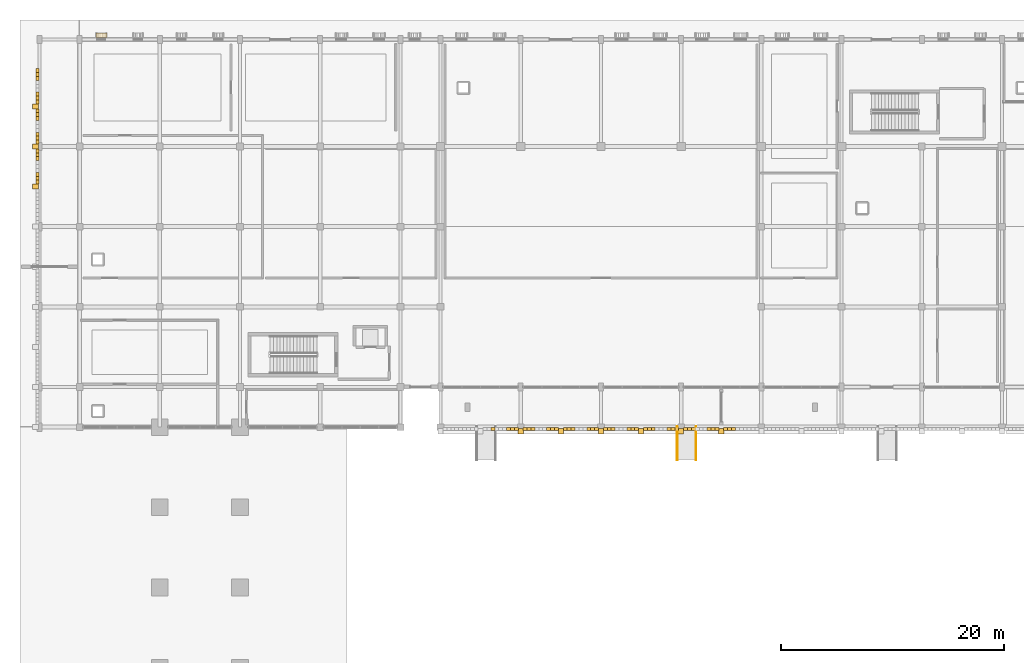
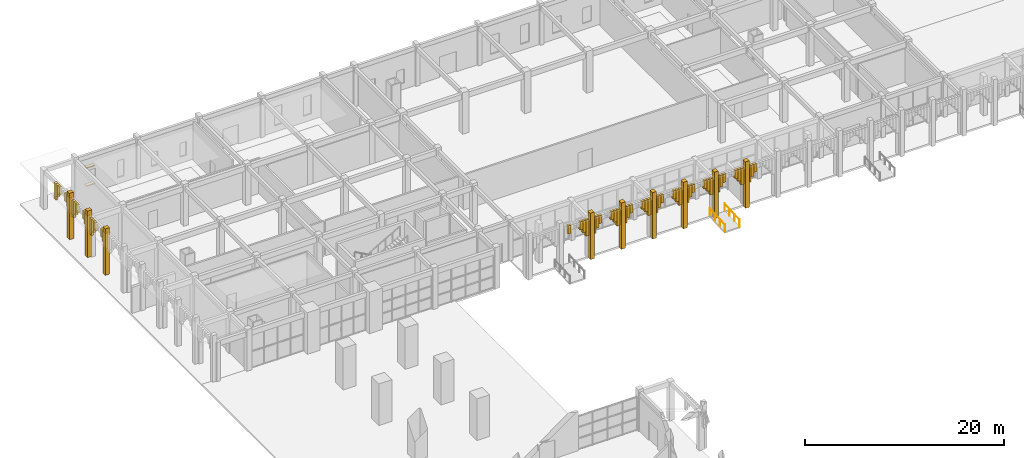
# One storey, part 52 of 72: 66 coverings, 2 railings.
"""IFC4 building model written with IfcOpenShell, lengths in metres."""

import ifcopenshell
import ifcopenshell.guid

model = None  # the IFC model being written
_history = None  # IfcOwnerHistory: only IFC2X3 demands one
_inside = {}  # id of a spatial element -> (the spatial element, [elements in it])
_under = {}  # id of a project, library or spatial element -> (it, [spatial elements below it])
_declared = {}  # id of a project -> (the project, [libraries it declares])
_typed = {}  # id of a type object -> (the type object, [elements of that type])
_made_of = {}  # id of a material, layer set ... -> (it, [elements and type objects made of it])


def new_model(schema):
    """Start an empty IFC model of exactly this schema.

    Asked for "IFC4X3", IfcOpenShell would pick the latest addendum, in which some entities
    have other attributes; the version numbers below select the first issue.
    IFC2X3 requires an IfcOwnerHistory on every rooted entity: one is made here for all.
    """
    global model, _history
    if schema == "IFC4X3":
        model = ifcopenshell.file(schema_version=(4, 3, 0, 0))
    else:
        model = ifcopenshell.file(schema=schema)
    _inside.clear()
    _under.clear()
    _declared.clear()
    _typed.clear()
    _made_of.clear()
    _history = None
    if model.schema == "IFC2X3":
        org = make("IfcOrganization", Name="unknown")
        user = make(
            "IfcPersonAndOrganization",
            ThePerson=make("IfcPerson", FamilyName="unknown"),
            TheOrganization=org,
        )
        app = make(
            "IfcApplication",
            ApplicationDeveloper=org,
            Version="unknown",
            ApplicationFullName="unknown",
            ApplicationIdentifier="unknown",
        )
        _history = make(
            "IfcOwnerHistory",
            OwningUser=user,
            OwningApplication=app,
            ChangeAction="ADDED",
            CreationDate=0,
        )
    return model


def make(cls, **values):
    """One entity of the class cls with the attributes given. An attribute that is None is left unset."""
    return model.create_entity(
        cls, **{name: value for name, value in values.items() if value is not None}
    )


def rooted(cls, **values):
    """An entity with a GlobalId (a new one), such as an element, a storey or a relation."""
    return make(cls, GlobalId=ifcopenshell.guid.new(), OwnerHistory=_history, **values)


def si_unit(unit_type, name, prefix=None):
    """IfcSIUnit, for example si_unit("LENGTHUNIT", "METRE", prefix="MILLI")."""
    return make("IfcSIUnit", UnitType=unit_type, Prefix=prefix, Name=name)


def assignment(units):
    """IfcUnitAssignment: the units of a project."""
    return None if units is None else make("IfcUnitAssignment", Units=units)


def point(xyz):
    """IfcCartesianPoint."""
    return None if xyz is None else make("IfcCartesianPoint", Coordinates=xyz)


def direction(xyz):
    """IfcDirection."""
    return None if xyz is None else make("IfcDirection", DirectionRatios=xyz)


def frame(location, z_axis=None, x_axis=None):
    """IfcAxis2Placement3D, a coordinate frame: its origin and axes. An axis left out is left unset."""
    return make(
        "IfcAxis2Placement3D",
        Location=point(location),
        Axis=direction(z_axis),
        RefDirection=direction(x_axis),
    )


def frame_2d(location, x_axis=None):
    """IfcAxis2Placement2D, a coordinate frame in the plane: its origin and x axis."""
    return make(
        "IfcAxis2Placement2D", Location=point(location), RefDirection=direction(x_axis)
    )


def origin():
    """The frame at (0, 0, 0) with its axes left unset."""
    return frame((0.0, 0.0, 0.0))


def origin_2d():
    """The frame at (0, 0) in the plane with its x axis left unset."""
    return frame_2d((0.0, 0.0))


def place(relative_to, where):
    """IfcLocalPlacement: puts the frame where relative to a parent placement (None: the world)."""
    return make(
        "IfcLocalPlacement", PlacementRelTo=relative_to, RelativePlacement=where
    )


def context(
    kind, dimensions, precision=None, world=None, true_north=None, identifier=None
):
    """IfcGeometricRepresentationContext, for example the 3D "Model" context."""
    return make(
        "IfcGeometricRepresentationContext",
        ContextIdentifier=identifier,
        ContextType=kind,
        CoordinateSpaceDimension=dimensions,
        Precision=precision,
        WorldCoordinateSystem=world,
        TrueNorth=true_north,
    )


def subcontext(parent, identifier, kind, view, scale=None):
    """IfcGeometricRepresentationSubContext, for example "Body" below "Model"."""
    return make(
        "IfcGeometricRepresentationSubContext",
        ContextIdentifier=identifier,
        ContextType=kind,
        ParentContext=parent,
        TargetScale=scale,
        TargetView=view,
    )


def project(units=None, contexts=None):
    """IfcProject with its units and contexts."""
    return rooted(
        "IfcProject",
        Name="project",
        RepresentationContexts=contexts,
        UnitsInContext=assignment(units),
    )


def spatial(cls, under=None, at=None, **own):
    """A site, building, storey or space (cls), placed at a placement, below another one or the project."""
    s = rooted(cls, ObjectPlacement=at, **own)
    if under is not None:
        _under.setdefault(under.id(), (under, []))[1].append(s)
    return s


def profile(cls, at=None, kind="AREA", **sizes):
    """A parametric profile (cls). Its sizes go by their IFC names, for example OverallWidth=200.0."""
    return make(cls, ProfileType=kind, Position=at, **sizes)


def rectangle(**sizes):
    """IfcRectangleProfileDef."""
    return profile("IfcRectangleProfileDef", **sizes)


def circle(**sizes):
    """IfcCircleProfileDef."""
    return profile("IfcCircleProfileDef", **sizes)


def extrude(swept, where, along, depth):
    """IfcExtrudedAreaSolid: the profile swept, set in the frame where, extruded along a direction by depth."""
    return make(
        "IfcExtrudedAreaSolid",
        SweptArea=swept,
        Position=where,
        ExtrudedDirection=direction(along),
        Depth=depth,
    )


def shape(context_of_items, identifier, shape_type, items):
    """IfcShapeRepresentation: the items that make up one representation, for example the "Body"."""
    return make(
        "IfcShapeRepresentation",
        ContextOfItems=context_of_items,
        RepresentationIdentifier=identifier,
        RepresentationType=shape_type,
        Items=items,
    )


def material(Name=None, Category=None):
    """IfcMaterial."""
    return make("IfcMaterial", Name=Name, Category=Category)


def layer(
    of_material, thickness, ventilated=None, Name=None, Category=None, Priority=None
):
    """IfcMaterialLayer: one layer of a wall or slab, of a material (None: an air gap)."""
    return make(
        "IfcMaterialLayer",
        Material=of_material,
        LayerThickness=thickness,
        IsVentilated=ventilated,
        Name=Name,
        Category=Category,
        Priority=Priority,
    )


def layer_set(layers, Name=None):
    """IfcMaterialLayerSet."""
    return make("IfcMaterialLayerSet", MaterialLayers=layers, LayerSetName=Name)


def made_of(thing, what):
    """Note that an element or type object is made of a material, layer set ...; save() writes the relation."""
    if what is not None:
        _made_of.setdefault(what.id(), (what, []))[1].append(thing)
    return thing


def type_object(cls, material=None, **own):
    """A type object (cls), such as IfcWallType, which elements share."""
    return made_of(rooted(cls, **own), material)


def element(
    cls,
    number,
    at=None,
    inside=None,
    cuts=None,
    type_object=None,
    material=None,
    context=None,
    identifier="Body",
    shape_type=None,
    held_by="IfcProductDefinitionShape",
    body=None,
    shapes=None,
    **own,
):
    """One element of the class cls, such as IfcWall. Its Tag is "e" and its number.

    at: its placement. inside: the storey or other place that contains it. cuts: it is an
    opening in that element (IfcRelVoidsElement). A single representation is given by context,
    identifier, shape_type and body (its items); several are given by shapes. held_by: the class
    of the entity that holds the representations. save() writes the other relations.
    """
    e = rooted(cls, Tag="e%d" % number, ObjectPlacement=at, **own)
    if body is not None:
        shapes = [shape(context, identifier, shape_type, body)]
    if shapes is not None:
        e.Representation = make(held_by, Representations=shapes)
    if inside is not None:
        _inside.setdefault(inside.id(), (inside, []))[1].append(e)
    if cuts is not None:
        rooted(
            "IfcRelVoidsElement", RelatingBuildingElement=cuts, RelatedOpeningElement=e
        )
    if type_object is not None:
        _typed.setdefault(type_object.id(), (type_object, []))[1].append(e)
    return made_of(e, material)


def aggregate(whole, parts):
    """IfcRelAggregates: a whole, such as a stair, and the parts it consists of."""
    return rooted("IfcRelAggregates", RelatingObject=whole, RelatedObjects=parts)


def save(model, path):
    """Write the relations noted so far, then the file.

    IfcRelAggregates (storeys below a building ...), IfcRelContainedInSpatialStructure (elements
    in a storey), IfcRelDefinesByType, IfcRelAssociatesMaterial and IfcRelDeclares: one each for
    every whole, place, type object, material and project.
    """
    for whole, parts in _under.values():
        aggregate(whole, parts)
    for where, things in _inside.values():
        rooted(
            "IfcRelContainedInSpatialStructure",
            RelatedElements=things,
            RelatingStructure=where,
        )
    for kind, things in _typed.values():
        rooted("IfcRelDefinesByType", RelatedObjects=things, RelatingType=kind)
    for what, things in _made_of.values():
        rooted("IfcRelAssociatesMaterial", RelatedObjects=things, RelatingMaterial=what)
    for by, libraries in _declared.values():
        rooted("IfcRelDeclares", RelatingContext=by, RelatedDefinitions=libraries)
    model.write(path)


model = new_model("IFC4")

# Units and contexts
model_context = context("Model", 3, precision=1e-05, world=origin(), true_north=direction((0.0, 1.0)))
body_context = subcontext(model_context, "Body", "Model", "MODEL_VIEW")
ifc_project = project(units=[si_unit("LENGTHUNIT", "METRE"), si_unit("AREAUNIT", "SQUARE_METRE"), si_unit("VOLUMEUNIT", "CUBIC_METRE"), si_unit("PLANEANGLEUNIT", "RADIAN"), si_unit("MASSUNIT", "GRAM", prefix="KILO")], contexts=[model_context])

# Site, building, storey
site_placement = place(None, origin())
site = spatial("IfcSite", under=ifc_project, at=site_placement, CompositionType="ELEMENT")
building_placement = place(site_placement, origin())
building = spatial("IfcBuilding", under=site, at=building_placement, Name="Nzembalo Square Collegiate School", CompositionType="ELEMENT")
storey_placement = place(building_placement, origin())
storey = spatial("IfcBuildingStorey", under=building, at=storey_placement, Name="L00", CompositionType="ELEMENT", Elevation=0.0)

# Coverings
ifc_material_1 = material(Name="Precast concrete C40/50 arch voussoir", Category="concrete")
ifc_layer_1 = layer(ifc_material_1, 0.1201171875, Name="Precast concrete C40/50 arch voussoir")
ifc_layer_set_1 = layer_set([ifc_layer_1], Name="Precast concrete C40/50 arch voussoir")
covering_type_1 = type_object("IfcCoveringType", Name="AR01", PredefinedType="CLADDING", material=ifc_layer_set_1)
covering_1_placement = place(storey_placement, frame((4.6201171875, 101.195556640625, 2.808349609375), z_axis=(0.0, 0.0, 1.0), x_axis=(1.0, 0.0, 0.0)))
element("IfcCovering", 1, at=covering_1_placement, inside=storey, type_object=covering_type_1, Name="Gothic pointed arch voussoir AR01-019-0", PredefinedType="CLADDING", context=body_context, shape_type="SweptSolid", body=[
    extrude(rectangle(XDim=0.280029296875, YDim=0.35107421875, at=origin_2d()), origin(), (0.0, 0.0, 1.0), 1.99169921875),
])
covering_2_placement = place(storey_placement, frame((4.6201171875, 101.546630859375, 3.361083984375), z_axis=(0.0, 0.0, 1.0), x_axis=(1.0, 0.0, 0.0)))
element("IfcCovering", 2, at=covering_2_placement, inside=storey, type_object=covering_type_1, Name="Gothic pointed arch voussoir AR01-019-1", PredefinedType="CLADDING", context=body_context, shape_type="SweptSolid", body=[
    extrude(rectangle(XDim=0.280029296875, YDim=0.35107421875, at=origin_2d()), origin(), (0.0, 0.0, 1.0), 1.43896484375),
])
for number, where, z_axis, x_axis, name in (
    (3, (4.6201171875, 101.897705078125, 3.810546875), (0.0, 0.0, 1.0), (1.0, 0.0, 0.0), "Gothic pointed arch voussoir AR01-019-2"),
    (4, (4.6201171875, 103.302001953125, 3.810546875), (0.0, 0.0, 1.0), (1.0, 0.0, 0.0), "Gothic pointed arch voussoir AR01-019-6"),
):
    element("IfcCovering", number, at=place(storey_placement, frame(where, z_axis=z_axis, x_axis=x_axis)), inside=storey, type_object=covering_type_1, Name=name, PredefinedType="CLADDING", context=body_context, shape_type="SweptSolid", body=[
        extrude(rectangle(XDim=0.280029296875, YDim=0.35107421875, at=origin_2d()), origin(), (0.0, 0.0, 1.0), 0.989501953125),
    ])
covering_3_placement = place(storey_placement, frame((4.6201171875, 103.6533203125, 3.361328125), z_axis=(0.0, 0.0, 1.0), x_axis=(1.0, 0.0, 0.0)))
element("IfcCovering", 5, at=covering_3_placement, inside=storey, type_object=covering_type_1, Name="Gothic pointed arch voussoir AR01-019-7", PredefinedType="CLADDING", context=body_context, shape_type="SweptSolid", body=[
    extrude(rectangle(XDim=0.280029296875, YDim=0.35107421875, at=origin_2d()), origin(), (0.0, 0.0, 1.0), 1.438720703125),
])
covering_4_placement = place(storey_placement, frame((4.6201171875, 104.00439453125, 2.80859375), z_axis=(0.0, 0.0, 1.0), x_axis=(1.0, 0.0, 0.0)))
element("IfcCovering", 6, at=covering_4_placement, inside=storey, type_object=covering_type_1, Name="Gothic pointed arch voussoir AR01-019-8", PredefinedType="CLADDING", context=body_context, shape_type="SweptSolid", body=[
    extrude(rectangle(XDim=0.280029296875, YDim=0.35107421875, at=origin_2d()), origin(), (0.0, 0.0, 1.0), 1.991455078125),
])
covering_5_placement = place(storey_placement, frame((4.43994140625, 100.800048828125, 0.0), z_axis=(0.0, 0.0, 1.0), x_axis=(1.0, 0.0, 0.0)))
element("IfcCovering", 7, at=covering_5_placement, inside=storey, type_object=covering_type_1, Name="Gothic arcade buttress pinnacle AR01-B019", PredefinedType="CLADDING", context=body_context, shape_type="SweptSolid", body=[
    extrude(rectangle(XDim=0.52001953125, YDim=0.4599609375, at=origin_2d()), origin(), (0.0, 0.0, 1.0), 5.699951171875),
])
covering_6_placement = place(storey_placement, frame((4.6201171875, 104.79541015625, 2.808349609375), z_axis=(0.0, 0.0, 1.0), x_axis=(1.0, 0.0, 0.0)))
element("IfcCovering", 8, at=covering_6_placement, inside=storey, type_object=covering_type_1, Name="Gothic pointed arch voussoir AR01-020-0", PredefinedType="CLADDING", context=body_context, shape_type="SweptSolid", body=[
    extrude(rectangle(XDim=0.280029296875, YDim=0.35107421875, at=origin_2d()), origin(), (0.0, 0.0, 1.0), 1.99169921875),
])
covering_7_placement = place(storey_placement, frame((4.6201171875, 105.146484375, 3.361083984375), z_axis=(0.0, 0.0, 1.0), x_axis=(1.0, 0.0, 0.0)))
element("IfcCovering", 9, at=covering_7_placement, inside=storey, type_object=covering_type_1, Name="Gothic pointed arch voussoir AR01-020-1", PredefinedType="CLADDING", context=body_context, shape_type="SweptSolid", body=[
    extrude(rectangle(XDim=0.280029296875, YDim=0.35107421875, at=origin_2d()), origin(), (0.0, 0.0, 1.0), 1.43896484375),
])
for number, where, z_axis, x_axis, name in (
    (10, (4.6201171875, 105.497802734375, 3.810546875), (0.0, 0.0, 1.0), (1.0, 0.0, 0.0), "Gothic pointed arch voussoir AR01-020-2"),
    (11, (4.6201171875, 106.902099609375, 3.810546875), (0.0, 0.0, 1.0), (1.0, 0.0, 0.0), "Gothic pointed arch voussoir AR01-020-6"),
):
    element("IfcCovering", number, at=place(storey_placement, frame(where, z_axis=z_axis, x_axis=x_axis)), inside=storey, type_object=covering_type_1, Name=name, PredefinedType="CLADDING", context=body_context, shape_type="SweptSolid", body=[
        extrude(rectangle(XDim=0.280029296875, YDim=0.35107421875, at=origin_2d()), origin(), (0.0, 0.0, 1.0), 0.989501953125),
    ])
covering_8_placement = place(storey_placement, frame((4.6201171875, 107.253173828125, 3.361328125), z_axis=(0.0, 0.0, 1.0), x_axis=(1.0, 0.0, 0.0)))
element("IfcCovering", 12, at=covering_8_placement, inside=storey, type_object=covering_type_1, Name="Gothic pointed arch voussoir AR01-020-7", PredefinedType="CLADDING", context=body_context, shape_type="SweptSolid", body=[
    extrude(rectangle(XDim=0.280029296875, YDim=0.35107421875, at=origin_2d()), origin(), (0.0, 0.0, 1.0), 1.438720703125),
])
covering_9_placement = place(storey_placement, frame((4.6201171875, 107.604248046875, 2.80859375), z_axis=(0.0, 0.0, 1.0), x_axis=(1.0, 0.0, 0.0)))
element("IfcCovering", 13, at=covering_9_placement, inside=storey, type_object=covering_type_1, Name="Gothic pointed arch voussoir AR01-020-8", PredefinedType="CLADDING", context=body_context, shape_type="SweptSolid", body=[
    extrude(rectangle(XDim=0.280029296875, YDim=0.35107421875, at=origin_2d()), origin(), (0.0, 0.0, 1.0), 1.991455078125),
])
covering_10_placement = place(storey_placement, frame((4.43994140625, 104.39990234375, 0.0), z_axis=(0.0, 0.0, 1.0), x_axis=(1.0, 0.0, 0.0)))
element("IfcCovering", 14, at=covering_10_placement, inside=storey, type_object=covering_type_1, Name="Gothic arcade buttress pinnacle AR01-B020", PredefinedType="CLADDING", context=body_context, shape_type="SweptSolid", body=[
    extrude(rectangle(XDim=0.52001953125, YDim=0.4599609375, at=origin_2d()), origin(), (0.0, 0.0, 1.0), 5.699951171875),
])
covering_11_placement = place(storey_placement, frame((4.6201171875, 108.3955078125, 2.808349609375), z_axis=(0.0, 0.0, 1.0), x_axis=(1.0, 0.0, 0.0)))
element("IfcCovering", 15, at=covering_11_placement, inside=storey, type_object=covering_type_1, Name="Gothic pointed arch voussoir AR01-021-0", PredefinedType="CLADDING", context=body_context, shape_type="SweptSolid", body=[
    extrude(rectangle(XDim=0.280029296875, YDim=0.35107421875, at=origin_2d()), origin(), (0.0, 0.0, 1.0), 1.99169921875),
])
covering_12_placement = place(storey_placement, frame((4.6201171875, 108.74658203125, 3.361083984375), z_axis=(0.0, 0.0, 1.0), x_axis=(1.0, 0.0, 0.0)))
element("IfcCovering", 16, at=covering_12_placement, inside=storey, type_object=covering_type_1, Name="Gothic pointed arch voussoir AR01-021-1", PredefinedType="CLADDING", context=body_context, shape_type="SweptSolid", body=[
    extrude(rectangle(XDim=0.280029296875, YDim=0.35107421875, at=origin_2d()), origin(), (0.0, 0.0, 1.0), 1.43896484375),
])
for number, where, z_axis, x_axis, name in (
    (17, (4.6201171875, 109.09765625, 3.810546875), (0.0, 0.0, 1.0), (1.0, 0.0, 0.0), "Gothic pointed arch voussoir AR01-021-2"),
    (18, (4.6201171875, 110.502197265625, 3.810546875), (0.0, 0.0, 1.0), (1.0, 0.0, 0.0), "Gothic pointed arch voussoir AR01-021-6"),
):
    element("IfcCovering", number, at=place(storey_placement, frame(where, z_axis=z_axis, x_axis=x_axis)), inside=storey, type_object=covering_type_1, Name=name, PredefinedType="CLADDING", context=body_context, shape_type="SweptSolid", body=[
        extrude(rectangle(XDim=0.280029296875, YDim=0.35107421875, at=origin_2d()), origin(), (0.0, 0.0, 1.0), 0.989501953125),
    ])
covering_13_placement = place(storey_placement, frame((4.6201171875, 110.853271484375, 3.361328125), z_axis=(0.0, 0.0, 1.0), x_axis=(1.0, 0.0, 0.0)))
element("IfcCovering", 19, at=covering_13_placement, inside=storey, type_object=covering_type_1, Name="Gothic pointed arch voussoir AR01-021-7", PredefinedType="CLADDING", context=body_context, shape_type="SweptSolid", body=[
    extrude(rectangle(XDim=0.280029296875, YDim=0.35107421875, at=origin_2d()), origin(), (0.0, 0.0, 1.0), 1.438720703125),
])
covering_14_placement = place(storey_placement, frame((4.6201171875, 111.204345703125, 2.80859375), z_axis=(0.0, 0.0, 1.0), x_axis=(1.0, 0.0, 0.0)))
element("IfcCovering", 20, at=covering_14_placement, inside=storey, type_object=covering_type_1, Name="Gothic pointed arch voussoir AR01-021-8", PredefinedType="CLADDING", context=body_context, shape_type="SweptSolid", body=[
    extrude(rectangle(XDim=0.280029296875, YDim=0.35107421875, at=origin_2d()), origin(), (0.0, 0.0, 1.0), 1.991455078125),
])
covering_15_placement = place(storey_placement, frame((4.43994140625, 108.0, 0.0), z_axis=(0.0, 0.0, 1.0), x_axis=(1.0, 0.0, 0.0)))
element("IfcCovering", 21, at=covering_15_placement, inside=storey, type_object=covering_type_1, Name="Gothic arcade buttress pinnacle AR01-B021", PredefinedType="CLADDING", context=body_context, shape_type="SweptSolid", body=[
    extrude(rectangle(XDim=0.52001953125, YDim=0.4599609375, at=origin_2d()), origin(), (0.0, 0.0, 1.0), 5.699951171875),
])
for number, where, z_axis, x_axis, name in (
    (22, (45.497802734375, 79.02001953125, 3.810546875), (0.0, 0.0, 1.0), (1.0, 0.0, 0.0), "Gothic pointed arch voussoir AR01-043-2"),
    (23, (46.902099609375, 79.02001953125, 3.810546875), (0.0, 0.0, 1.0), (1.0, 0.0, 0.0), "Gothic pointed arch voussoir AR01-043-6"),
):
    element("IfcCovering", number, at=place(storey_placement, frame(where, z_axis=z_axis, x_axis=x_axis)), inside=storey, type_object=covering_type_1, Name=name, PredefinedType="CLADDING", context=body_context, shape_type="SweptSolid", body=[
        extrude(rectangle(XDim=0.35107421875, YDim=0.280029296875, at=origin_2d()), origin(), (0.0, 0.0, 1.0), 0.989501953125),
    ])
covering_16_placement = place(storey_placement, frame((47.253173828125, 79.02001953125, 3.361328125), z_axis=(0.0, 0.0, 1.0), x_axis=(1.0, 0.0, 0.0)))
element("IfcCovering", 24, at=covering_16_placement, inside=storey, type_object=covering_type_1, Name="Gothic pointed arch voussoir AR01-043-7", PredefinedType="CLADDING", context=body_context, shape_type="SweptSolid", body=[
    extrude(rectangle(XDim=0.35107421875, YDim=0.280029296875, at=origin_2d()), origin(), (0.0, 0.0, 1.0), 1.438720703125),
])
covering_17_placement = place(storey_placement, frame((47.604248046875, 79.02001953125, 2.80859375), z_axis=(0.0, 0.0, 1.0), x_axis=(1.0, 0.0, 0.0)))
element("IfcCovering", 25, at=covering_17_placement, inside=storey, type_object=covering_type_1, Name="Gothic pointed arch voussoir AR01-043-8", PredefinedType="CLADDING", context=body_context, shape_type="SweptSolid", body=[
    extrude(rectangle(XDim=0.35107421875, YDim=0.280029296875, at=origin_2d()), origin(), (0.0, 0.0, 1.0), 1.991455078125),
])
covering_18_placement = place(storey_placement, frame((48.3955078125, 79.02001953125, 2.808349609375), z_axis=(0.0, 0.0, 1.0), x_axis=(1.0, 0.0, 0.0)))
element("IfcCovering", 26, at=covering_18_placement, inside=storey, type_object=covering_type_1, Name="Gothic pointed arch voussoir AR01-044-0", PredefinedType="CLADDING", context=body_context, shape_type="SweptSolid", body=[
    extrude(rectangle(XDim=0.35107421875, YDim=0.280029296875, at=origin_2d()), origin(), (0.0, 0.0, 1.0), 1.99169921875),
])
covering_19_placement = place(storey_placement, frame((48.74658203125, 79.02001953125, 3.361083984375), z_axis=(0.0, 0.0, 1.0), x_axis=(1.0, 0.0, 0.0)))
element("IfcCovering", 27, at=covering_19_placement, inside=storey, type_object=covering_type_1, Name="Gothic pointed arch voussoir AR01-044-1", PredefinedType="CLADDING", context=body_context, shape_type="SweptSolid", body=[
    extrude(rectangle(XDim=0.35107421875, YDim=0.280029296875, at=origin_2d()), origin(), (0.0, 0.0, 1.0), 1.43896484375),
])
for number, where, z_axis, x_axis, name in (
    (28, (49.09765625, 79.02001953125, 3.810546875), (0.0, 0.0, 1.0), (1.0, 0.0, 0.0), "Gothic pointed arch voussoir AR01-044-2"),
    (29, (50.502197265625, 79.02001953125, 3.810546875), (0.0, 0.0, 1.0), (1.0, 0.0, 0.0), "Gothic pointed arch voussoir AR01-044-6"),
):
    element("IfcCovering", number, at=place(storey_placement, frame(where, z_axis=z_axis, x_axis=x_axis)), inside=storey, type_object=covering_type_1, Name=name, PredefinedType="CLADDING", context=body_context, shape_type="SweptSolid", body=[
        extrude(rectangle(XDim=0.35107421875, YDim=0.280029296875, at=origin_2d()), origin(), (0.0, 0.0, 1.0), 0.989501953125),
    ])
covering_20_placement = place(storey_placement, frame((50.853271484375, 79.02001953125, 3.361328125), z_axis=(0.0, 0.0, 1.0), x_axis=(1.0, 0.0, 0.0)))
element("IfcCovering", 30, at=covering_20_placement, inside=storey, type_object=covering_type_1, Name="Gothic pointed arch voussoir AR01-044-7", PredefinedType="CLADDING", context=body_context, shape_type="SweptSolid", body=[
    extrude(rectangle(XDim=0.35107421875, YDim=0.280029296875, at=origin_2d()), origin(), (0.0, 0.0, 1.0), 1.438720703125),
])
covering_21_placement = place(storey_placement, frame((51.204345703125, 79.02001953125, 2.80859375), z_axis=(0.0, 0.0, 1.0), x_axis=(1.0, 0.0, 0.0)))
element("IfcCovering", 31, at=covering_21_placement, inside=storey, type_object=covering_type_1, Name="Gothic pointed arch voussoir AR01-044-8", PredefinedType="CLADDING", context=body_context, shape_type="SweptSolid", body=[
    extrude(rectangle(XDim=0.35107421875, YDim=0.280029296875, at=origin_2d()), origin(), (0.0, 0.0, 1.0), 1.991455078125),
])
covering_22_placement = place(storey_placement, frame((48.0, 78.840087890625, 0.0), z_axis=(0.0, 0.0, 1.0), x_axis=(1.0, 0.0, 0.0)))
element("IfcCovering", 32, at=covering_22_placement, inside=storey, type_object=covering_type_1, Name="Gothic arcade buttress pinnacle AR01-B044", PredefinedType="CLADDING", context=body_context, shape_type="SweptSolid", body=[
    extrude(rectangle(XDim=0.4599609375, YDim=0.52001953125, at=origin_2d()), origin(), (0.0, 0.0, 1.0), 5.699951171875),
])
covering_23_placement = place(storey_placement, frame((51.99560546875, 79.02001953125, 2.808349609375), z_axis=(0.0, 0.0, 1.0), x_axis=(1.0, 0.0, 0.0)))
element("IfcCovering", 33, at=covering_23_placement, inside=storey, type_object=covering_type_1, Name="Gothic pointed arch voussoir AR01-045-0", PredefinedType="CLADDING", context=body_context, shape_type="SweptSolid", body=[
    extrude(rectangle(XDim=0.35107421875, YDim=0.280029296875, at=origin_2d()), origin(), (0.0, 0.0, 1.0), 1.99169921875),
])
covering_24_placement = place(storey_placement, frame((52.3466796875, 79.02001953125, 3.361083984375), z_axis=(0.0, 0.0, 1.0), x_axis=(1.0, 0.0, 0.0)))
element("IfcCovering", 34, at=covering_24_placement, inside=storey, type_object=covering_type_1, Name="Gothic pointed arch voussoir AR01-045-1", PredefinedType="CLADDING", context=body_context, shape_type="SweptSolid", body=[
    extrude(rectangle(XDim=0.35107421875, YDim=0.280029296875, at=origin_2d()), origin(), (0.0, 0.0, 1.0), 1.43896484375),
])
for number, where, z_axis, x_axis, name in (
    (35, (52.69775390625, 79.02001953125, 3.810546875), (0.0, 0.0, 1.0), (1.0, 0.0, 0.0), "Gothic pointed arch voussoir AR01-045-2"),
    (36, (54.102294921875, 79.02001953125, 3.810546875), (0.0, 0.0, 1.0), (1.0, 0.0, 0.0), "Gothic pointed arch voussoir AR01-045-6"),
):
    element("IfcCovering", number, at=place(storey_placement, frame(where, z_axis=z_axis, x_axis=x_axis)), inside=storey, type_object=covering_type_1, Name=name, PredefinedType="CLADDING", context=body_context, shape_type="SweptSolid", body=[
        extrude(rectangle(XDim=0.35107421875, YDim=0.280029296875, at=origin_2d()), origin(), (0.0, 0.0, 1.0), 0.989501953125),
    ])
covering_25_placement = place(storey_placement, frame((54.453125, 79.02001953125, 3.361328125), z_axis=(0.0, 0.0, 1.0), x_axis=(1.0, 0.0, 0.0)))
element("IfcCovering", 37, at=covering_25_placement, inside=storey, type_object=covering_type_1, Name="Gothic pointed arch voussoir AR01-045-7", PredefinedType="CLADDING", context=body_context, shape_type="SweptSolid", body=[
    extrude(rectangle(XDim=0.35107421875, YDim=0.280029296875, at=origin_2d()), origin(), (0.0, 0.0, 1.0), 1.438720703125),
])
covering_26_placement = place(storey_placement, frame((54.80419921875, 79.02001953125, 2.80859375), z_axis=(0.0, 0.0, 1.0), x_axis=(1.0, 0.0, 0.0)))
element("IfcCovering", 38, at=covering_26_placement, inside=storey, type_object=covering_type_1, Name="Gothic pointed arch voussoir AR01-045-8", PredefinedType="CLADDING", context=body_context, shape_type="SweptSolid", body=[
    extrude(rectangle(XDim=0.35107421875, YDim=0.280029296875, at=origin_2d()), origin(), (0.0, 0.0, 1.0), 1.991455078125),
])
covering_27_placement = place(storey_placement, frame((51.60009765625, 78.840087890625, 0.0), z_axis=(0.0, 0.0, 1.0), x_axis=(1.0, 0.0, 0.0)))
element("IfcCovering", 39, at=covering_27_placement, inside=storey, type_object=covering_type_1, Name="Gothic arcade buttress pinnacle AR01-B045", PredefinedType="CLADDING", context=body_context, shape_type="SweptSolid", body=[
    extrude(rectangle(XDim=0.4599609375, YDim=0.52001953125, at=origin_2d()), origin(), (0.0, 0.0, 1.0), 5.699951171875),
])
covering_28_placement = place(storey_placement, frame((55.595703125, 79.02001953125, 2.808349609375), z_axis=(0.0, 0.0, 1.0), x_axis=(1.0, 0.0, 0.0)))
element("IfcCovering", 40, at=covering_28_placement, inside=storey, type_object=covering_type_1, Name="Gothic pointed arch voussoir AR01-046-0", PredefinedType="CLADDING", context=body_context, shape_type="SweptSolid", body=[
    extrude(rectangle(XDim=0.35107421875, YDim=0.280029296875, at=origin_2d()), origin(), (0.0, 0.0, 1.0), 1.99169921875),
])
covering_29_placement = place(storey_placement, frame((55.946533203125, 79.02001953125, 3.361083984375), z_axis=(0.0, 0.0, 1.0), x_axis=(1.0, 0.0, 0.0)))
element("IfcCovering", 41, at=covering_29_placement, inside=storey, type_object=covering_type_1, Name="Gothic pointed arch voussoir AR01-046-1", PredefinedType="CLADDING", context=body_context, shape_type="SweptSolid", body=[
    extrude(rectangle(XDim=0.35107421875, YDim=0.280029296875, at=origin_2d()), origin(), (0.0, 0.0, 1.0), 1.43896484375),
])
for number, where, z_axis, x_axis, name in (
    (42, (56.2978515625, 79.02001953125, 3.810546875), (0.0, 0.0, 1.0), (1.0, 0.0, 0.0), "Gothic pointed arch voussoir AR01-046-2"),
    (43, (57.7021484375, 79.02001953125, 3.810546875), (0.0, 0.0, 1.0), (1.0, 0.0, 0.0), "Gothic pointed arch voussoir AR01-046-6"),
):
    element("IfcCovering", number, at=place(storey_placement, frame(where, z_axis=z_axis, x_axis=x_axis)), inside=storey, type_object=covering_type_1, Name=name, PredefinedType="CLADDING", context=body_context, shape_type="SweptSolid", body=[
        extrude(rectangle(XDim=0.35107421875, YDim=0.280029296875, at=origin_2d()), origin(), (0.0, 0.0, 1.0), 0.989501953125),
    ])
covering_30_placement = place(storey_placement, frame((58.05322265625, 79.02001953125, 3.361328125), z_axis=(0.0, 0.0, 1.0), x_axis=(1.0, 0.0, 0.0)))
element("IfcCovering", 44, at=covering_30_placement, inside=storey, type_object=covering_type_1, Name="Gothic pointed arch voussoir AR01-046-7", PredefinedType="CLADDING", context=body_context, shape_type="SweptSolid", body=[
    extrude(rectangle(XDim=0.35107421875, YDim=0.280029296875, at=origin_2d()), origin(), (0.0, 0.0, 1.0), 1.438720703125),
])
covering_31_placement = place(storey_placement, frame((58.404296875, 79.02001953125, 2.80859375), z_axis=(0.0, 0.0, 1.0), x_axis=(1.0, 0.0, 0.0)))
element("IfcCovering", 45, at=covering_31_placement, inside=storey, type_object=covering_type_1, Name="Gothic pointed arch voussoir AR01-046-8", PredefinedType="CLADDING", context=body_context, shape_type="SweptSolid", body=[
    extrude(rectangle(XDim=0.35107421875, YDim=0.280029296875, at=origin_2d()), origin(), (0.0, 0.0, 1.0), 1.991455078125),
])
covering_32_placement = place(storey_placement, frame((55.199951171875, 78.840087890625, 0.0), z_axis=(0.0, 0.0, 1.0), x_axis=(1.0, 0.0, 0.0)))
element("IfcCovering", 46, at=covering_32_placement, inside=storey, type_object=covering_type_1, Name="Gothic arcade buttress pinnacle AR01-B046", PredefinedType="CLADDING", context=body_context, shape_type="SweptSolid", body=[
    extrude(rectangle(XDim=0.4599609375, YDim=0.52001953125, at=origin_2d()), origin(), (0.0, 0.0, 1.0), 5.699951171875),
])
covering_33_placement = place(storey_placement, frame((59.195556640625, 79.02001953125, 2.808349609375), z_axis=(0.0, 0.0, 1.0), x_axis=(1.0, 0.0, 0.0)))
element("IfcCovering", 47, at=covering_33_placement, inside=storey, type_object=covering_type_1, Name="Gothic pointed arch voussoir AR01-047-0", PredefinedType="CLADDING", context=body_context, shape_type="SweptSolid", body=[
    extrude(rectangle(XDim=0.35107421875, YDim=0.280029296875, at=origin_2d()), origin(), (0.0, 0.0, 1.0), 1.99169921875),
])
covering_34_placement = place(storey_placement, frame((59.546630859375, 79.02001953125, 3.361083984375), z_axis=(0.0, 0.0, 1.0), x_axis=(1.0, 0.0, 0.0)))
element("IfcCovering", 48, at=covering_34_placement, inside=storey, type_object=covering_type_1, Name="Gothic pointed arch voussoir AR01-047-1", PredefinedType="CLADDING", context=body_context, shape_type="SweptSolid", body=[
    extrude(rectangle(XDim=0.35107421875, YDim=0.280029296875, at=origin_2d()), origin(), (0.0, 0.0, 1.0), 1.43896484375),
])
for number, where, z_axis, x_axis, name in (
    (49, (59.897705078125, 79.02001953125, 3.810546875), (0.0, 0.0, 1.0), (1.0, 0.0, 0.0), "Gothic pointed arch voussoir AR01-047-2"),
    (50, (61.30224609375, 79.02001953125, 3.810546875), (0.0, 0.0, 1.0), (1.0, 0.0, 0.0), "Gothic pointed arch voussoir AR01-047-6"),
):
    element("IfcCovering", number, at=place(storey_placement, frame(where, z_axis=z_axis, x_axis=x_axis)), inside=storey, type_object=covering_type_1, Name=name, PredefinedType="CLADDING", context=body_context, shape_type="SweptSolid", body=[
        extrude(rectangle(XDim=0.35107421875, YDim=0.280029296875, at=origin_2d()), origin(), (0.0, 0.0, 1.0), 0.989501953125),
    ])
covering_35_placement = place(storey_placement, frame((61.6533203125, 79.02001953125, 3.361328125), z_axis=(0.0, 0.0, 1.0), x_axis=(1.0, 0.0, 0.0)))
element("IfcCovering", 51, at=covering_35_placement, inside=storey, type_object=covering_type_1, Name="Gothic pointed arch voussoir AR01-047-7", PredefinedType="CLADDING", context=body_context, shape_type="SweptSolid", body=[
    extrude(rectangle(XDim=0.35107421875, YDim=0.280029296875, at=origin_2d()), origin(), (0.0, 0.0, 1.0), 1.438720703125),
])
covering_36_placement = place(storey_placement, frame((62.00439453125, 79.02001953125, 2.80859375), z_axis=(0.0, 0.0, 1.0), x_axis=(1.0, 0.0, 0.0)))
element("IfcCovering", 52, at=covering_36_placement, inside=storey, type_object=covering_type_1, Name="Gothic pointed arch voussoir AR01-047-8", PredefinedType="CLADDING", context=body_context, shape_type="SweptSolid", body=[
    extrude(rectangle(XDim=0.35107421875, YDim=0.280029296875, at=origin_2d()), origin(), (0.0, 0.0, 1.0), 1.991455078125),
])
covering_37_placement = place(storey_placement, frame((58.800048828125, 78.840087890625, 0.0), z_axis=(0.0, 0.0, 1.0), x_axis=(1.0, 0.0, 0.0)))
element("IfcCovering", 53, at=covering_37_placement, inside=storey, type_object=covering_type_1, Name="Gothic arcade buttress pinnacle AR01-B047", PredefinedType="CLADDING", context=body_context, shape_type="SweptSolid", body=[
    extrude(rectangle(XDim=0.4599609375, YDim=0.52001953125, at=origin_2d()), origin(), (0.0, 0.0, 1.0), 5.699951171875),
])
covering_38_placement = place(storey_placement, frame((62.795654296875, 79.02001953125, 2.808349609375), z_axis=(0.0, 0.0, 1.0), x_axis=(1.0, 0.0, 0.0)))
element("IfcCovering", 54, at=covering_38_placement, inside=storey, type_object=covering_type_1, Name="Gothic pointed arch voussoir AR01-048-0", PredefinedType="CLADDING", context=body_context, shape_type="SweptSolid", body=[
    extrude(rectangle(XDim=0.35107421875, YDim=0.280029296875, at=origin_2d()), origin(), (0.0, 0.0, 1.0), 1.99169921875),
])
covering_39_placement = place(storey_placement, frame((63.146728515625, 79.02001953125, 3.361083984375), z_axis=(0.0, 0.0, 1.0), x_axis=(1.0, 0.0, 0.0)))
element("IfcCovering", 55, at=covering_39_placement, inside=storey, type_object=covering_type_1, Name="Gothic pointed arch voussoir AR01-048-1", PredefinedType="CLADDING", context=body_context, shape_type="SweptSolid", body=[
    extrude(rectangle(XDim=0.35107421875, YDim=0.280029296875, at=origin_2d()), origin(), (0.0, 0.0, 1.0), 1.43896484375),
])
for number, where, z_axis, x_axis, name in (
    (56, (63.497802734375, 79.02001953125, 3.810546875), (0.0, 0.0, 1.0), (1.0, 0.0, 0.0), "Gothic pointed arch voussoir AR01-048-2"),
    (57, (64.902099609375, 79.02001953125, 3.810546875), (0.0, 0.0, 1.0), (1.0, 0.0, 0.0), "Gothic pointed arch voussoir AR01-048-6"),
):
    element("IfcCovering", number, at=place(storey_placement, frame(where, z_axis=z_axis, x_axis=x_axis)), inside=storey, type_object=covering_type_1, Name=name, PredefinedType="CLADDING", context=body_context, shape_type="SweptSolid", body=[
        extrude(rectangle(XDim=0.35107421875, YDim=0.280029296875, at=origin_2d()), origin(), (0.0, 0.0, 1.0), 0.989501953125),
    ])
covering_40_placement = place(storey_placement, frame((65.25341796875, 79.02001953125, 3.361328125), z_axis=(0.0, 0.0, 1.0), x_axis=(1.0, 0.0, 0.0)))
element("IfcCovering", 58, at=covering_40_placement, inside=storey, type_object=covering_type_1, Name="Gothic pointed arch voussoir AR01-048-7", PredefinedType="CLADDING", context=body_context, shape_type="SweptSolid", body=[
    extrude(rectangle(XDim=0.35107421875, YDim=0.280029296875, at=origin_2d()), origin(), (0.0, 0.0, 1.0), 1.438720703125),
])
covering_41_placement = place(storey_placement, frame((65.604248046875, 79.02001953125, 2.80859375), z_axis=(0.0, 0.0, 1.0), x_axis=(1.0, 0.0, 0.0)))
element("IfcCovering", 59, at=covering_41_placement, inside=storey, type_object=covering_type_1, Name="Gothic pointed arch voussoir AR01-048-8", PredefinedType="CLADDING", context=body_context, shape_type="SweptSolid", body=[
    extrude(rectangle(XDim=0.35107421875, YDim=0.280029296875, at=origin_2d()), origin(), (0.0, 0.0, 1.0), 1.991455078125),
])
covering_42_placement = place(storey_placement, frame((62.39990234375, 78.840087890625, 0.0), z_axis=(0.0, 0.0, 1.0), x_axis=(1.0, 0.0, 0.0)))
element("IfcCovering", 60, at=covering_42_placement, inside=storey, type_object=covering_type_1, Name="Gothic arcade buttress pinnacle AR01-B048", PredefinedType="CLADDING", context=body_context, shape_type="SweptSolid", body=[
    extrude(rectangle(XDim=0.4599609375, YDim=0.52001953125, at=origin_2d()), origin(), (0.0, 0.0, 1.0), 5.699951171875),
])
covering_43_placement = place(storey_placement, frame((66.3955078125, 79.02001953125, 2.808349609375), z_axis=(0.0, 0.0, 1.0), x_axis=(1.0, 0.0, 0.0)))
element("IfcCovering", 61, at=covering_43_placement, inside=storey, type_object=covering_type_1, Name="Gothic pointed arch voussoir AR01-049-0", PredefinedType="CLADDING", context=body_context, shape_type="SweptSolid", body=[
    extrude(rectangle(XDim=0.35107421875, YDim=0.280029296875, at=origin_2d()), origin(), (0.0, 0.0, 1.0), 1.99169921875),
])
covering_44_placement = place(storey_placement, frame((66.74658203125, 79.02001953125, 3.361083984375), z_axis=(0.0, 0.0, 1.0), x_axis=(1.0, 0.0, 0.0)))
element("IfcCovering", 62, at=covering_44_placement, inside=storey, type_object=covering_type_1, Name="Gothic pointed arch voussoir AR01-049-1", PredefinedType="CLADDING", context=body_context, shape_type="SweptSolid", body=[
    extrude(rectangle(XDim=0.35107421875, YDim=0.280029296875, at=origin_2d()), origin(), (0.0, 0.0, 1.0), 1.43896484375),
])
covering_45_placement = place(storey_placement, frame((67.09765625, 79.02001953125, 3.810546875), z_axis=(0.0, 0.0, 1.0), x_axis=(1.0, 0.0, 0.0)))
element("IfcCovering", 63, at=covering_45_placement, inside=storey, type_object=covering_type_1, Name="Gothic pointed arch voussoir AR01-049-2", PredefinedType="CLADDING", context=body_context, shape_type="SweptSolid", body=[
    extrude(rectangle(XDim=0.35107421875, YDim=0.280029296875, at=origin_2d()), origin(), (0.0, 0.0, 1.0), 0.989501953125),
])
covering_46_placement = place(storey_placement, frame((66.0, 78.840087890625, 0.0), z_axis=(0.0, 0.0, 1.0), x_axis=(1.0, 0.0, 0.0)))
element("IfcCovering", 64, at=covering_46_placement, inside=storey, type_object=covering_type_1, Name="Gothic arcade buttress pinnacle AR01-B049", PredefinedType="CLADDING", context=body_context, shape_type="SweptSolid", body=[
    extrude(rectangle(XDim=0.4599609375, YDim=0.52001953125, at=origin_2d()), origin(), (0.0, 0.0, 1.0), 5.699951171875),
])
ifc_material_2 = material(Name="Glazed celadon ceramic window frame")
ifc_layer_2 = layer(ifc_material_2, 0.419921875, Name="Glazed celadon ceramic window frame")
ifc_layer_set_2 = layer_set([ifc_layer_2], Name="Glazed celadon ceramic window frame")
covering_type_2 = type_object("IfcCoveringType", Name="WF01", PredefinedType="CLADDING", material=ifc_layer_set_2)
covering_47_placement = place(storey_placement, frame((10.345947265625, 114.375, 2.85498046875), z_axis=(0.0, 0.0, 1.0), x_axis=(1.0, 0.0, 0.0)))
element("IfcCovering", 65, at=covering_47_placement, inside=storey, type_object=covering_type_2, Name="Deep lancet window hood WF01-0075", PredefinedType="CLADDING", context=body_context, shape_type="SweptSolid", body=[
    extrude(rectangle(XDim=0.989990234375, YDim=0.419921875, at=origin_2d()), origin(), (0.0, 0.0, 1.0), 0.110107421875),
])
covering_48_placement = place(storey_placement, frame((10.345947265625, 114.375, 0.65478515625), z_axis=(0.0, 0.0, 1.0), x_axis=(1.0, 0.0, 0.0)))
element("IfcCovering", 66, at=covering_48_placement, inside=storey, type_object=covering_type_2, Name="Deep lancet window sill WF01-0075", PredefinedType="CLADDING", context=body_context, shape_type="SweptSolid", body=[
    extrude(rectangle(XDim=0.989990234375, YDim=0.419921875, at=origin_2d()), origin(), (0.0, 0.0, 1.0), 0.090087890625),
])

# Railings
ifc_material_3 = material(Name="Steel S355", Category="steel")
railing_type = type_object("IfcRailingType", Name="HR02", PredefinedType="HANDRAIL", material=ifc_material_3)
for number, where, name in (
    (67, (62.050048828125, 76.25, -0.14990234375), "Ramp handrail RP-02-H1"),
    (68, (63.75, 76.25, -0.14990234375), "Ramp handrail RP-02-H2"),
):
    element("IfcRailing", number, at=place(storey_placement, frame(where)), inside=storey, type_object=railing_type, Name=name, PredefinedType="HANDRAIL", context=body_context, shape_type="SweptSolid", body=[
        extrude(circle(Radius=0.02392578125, at=origin_2d()), frame((0.0, 0.0, 0.89599609375), z_axis=(0.0, 0.998753959874, 0.049905186472), x_axis=(-1.0, 0.0, 0.0)), (0.0, 0.0, 1.0), 3.003662109375),
        extrude(circle(Radius=0.02099609375, at=origin_2d()), origin(), (0.0, 0.0, 1.0), 0.871826171875),
        extrude(circle(Radius=0.02099609375, at=origin_2d()), frame((0.0, 1.0, 0.050048828125)), (0.0, 0.0, 1.0), 0.871826171875),
        extrude(circle(Radius=0.02099609375, at=origin_2d()), frame((0.0, 2.0, 0.099853515625)), (0.0, 0.0, 1.0), 0.871826171875),
        extrude(circle(Radius=0.02099609375, at=origin_2d()), frame((0.0, 3.0, 0.14990234375)), (0.0, 0.0, 1.0), 0.871826171875),
    ])

save(model, "model.ifc")
